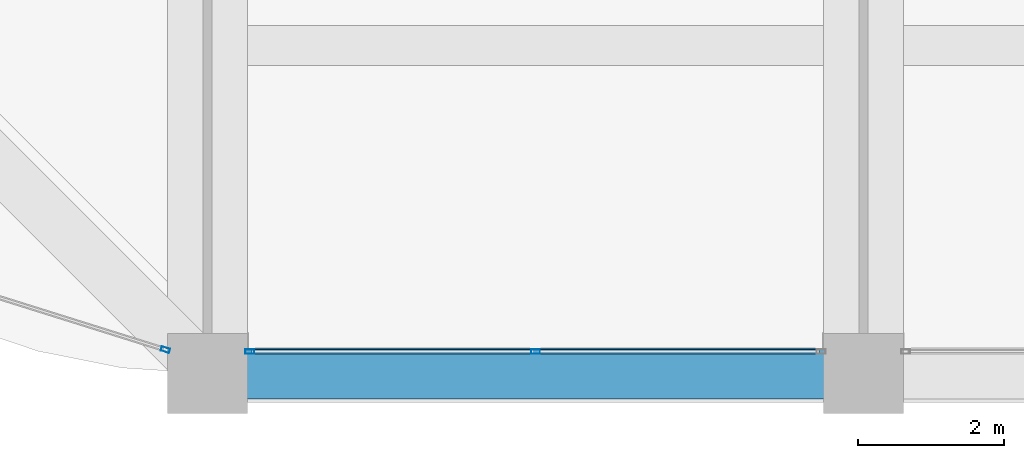
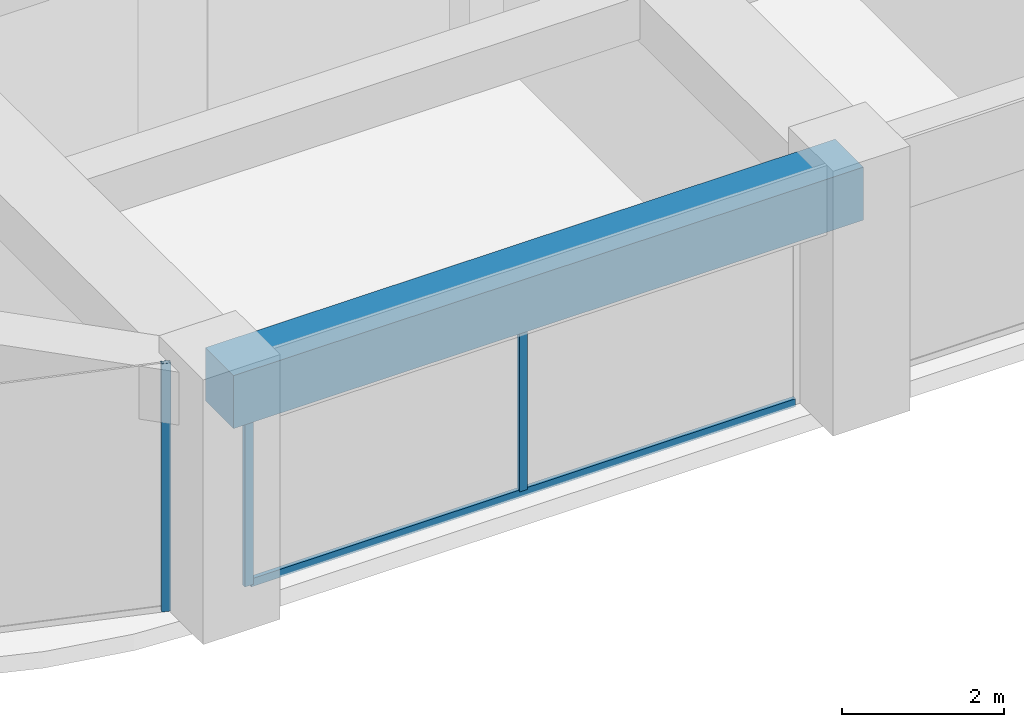
# One storey, part 4 of 44: 4 members, 1 beam, 2 elements without a shape of their own.
"""IFC4 building model written with IfcOpenShell, lengths in metres."""

import ifcopenshell
import ifcopenshell.guid

model = None  # the IFC model being written
_history = None  # IfcOwnerHistory: only IFC2X3 demands one
_inside = {}  # id of a spatial element -> (the spatial element, [elements in it])
_under = {}  # id of a project, library or spatial element -> (it, [spatial elements below it])
_declared = {}  # id of a project -> (the project, [libraries it declares])
_typed = {}  # id of a type object -> (the type object, [elements of that type])
_made_of = {}  # id of a material, layer set ... -> (it, [elements and type objects made of it])


def new_model(schema):
    """Start an empty IFC model of exactly this schema.

    Asked for "IFC4X3", IfcOpenShell would pick the latest addendum, in which some entities
    have other attributes; the version numbers below select the first issue.
    IFC2X3 requires an IfcOwnerHistory on every rooted entity: one is made here for all.
    """
    global model, _history
    if schema == "IFC4X3":
        model = ifcopenshell.file(schema_version=(4, 3, 0, 0))
    else:
        model = ifcopenshell.file(schema=schema)
    _inside.clear()
    _under.clear()
    _declared.clear()
    _typed.clear()
    _made_of.clear()
    _history = None
    if model.schema == "IFC2X3":
        org = make("IfcOrganization", Name="unknown")
        user = make(
            "IfcPersonAndOrganization",
            ThePerson=make("IfcPerson", FamilyName="unknown"),
            TheOrganization=org,
        )
        app = make(
            "IfcApplication",
            ApplicationDeveloper=org,
            Version="unknown",
            ApplicationFullName="unknown",
            ApplicationIdentifier="unknown",
        )
        _history = make(
            "IfcOwnerHistory",
            OwningUser=user,
            OwningApplication=app,
            ChangeAction="ADDED",
            CreationDate=0,
        )
    return model


def make(cls, **values):
    """One entity of the class cls with the attributes given. An attribute that is None is left unset."""
    return model.create_entity(
        cls, **{name: value for name, value in values.items() if value is not None}
    )


def rooted(cls, **values):
    """An entity with a GlobalId (a new one), such as an element, a storey or a relation."""
    return make(cls, GlobalId=ifcopenshell.guid.new(), OwnerHistory=_history, **values)


def si_unit(unit_type, name, prefix=None):
    """IfcSIUnit, for example si_unit("LENGTHUNIT", "METRE", prefix="MILLI")."""
    return make("IfcSIUnit", UnitType=unit_type, Prefix=prefix, Name=name)


def assignment(units):
    """IfcUnitAssignment: the units of a project."""
    return None if units is None else make("IfcUnitAssignment", Units=units)


def point(xyz):
    """IfcCartesianPoint."""
    return None if xyz is None else make("IfcCartesianPoint", Coordinates=xyz)


def direction(xyz):
    """IfcDirection."""
    return None if xyz is None else make("IfcDirection", DirectionRatios=xyz)


def frame(location, z_axis=None, x_axis=None):
    """IfcAxis2Placement3D, a coordinate frame: its origin and axes. An axis left out is left unset."""
    return make(
        "IfcAxis2Placement3D",
        Location=point(location),
        Axis=direction(z_axis),
        RefDirection=direction(x_axis),
    )


def frame_2d(location, x_axis=None):
    """IfcAxis2Placement2D, a coordinate frame in the plane: its origin and x axis."""
    return make(
        "IfcAxis2Placement2D", Location=point(location), RefDirection=direction(x_axis)
    )


def origin():
    """The frame at (0, 0, 0) with its axes left unset."""
    return frame((0.0, 0.0, 0.0))


def origin_2d():
    """The frame at (0, 0) in the plane with its x axis left unset."""
    return frame_2d((0.0, 0.0))


def place(relative_to, where):
    """IfcLocalPlacement: puts the frame where relative to a parent placement (None: the world)."""
    return make(
        "IfcLocalPlacement", PlacementRelTo=relative_to, RelativePlacement=where
    )


def context(
    kind, dimensions, precision=None, world=None, true_north=None, identifier=None
):
    """IfcGeometricRepresentationContext, for example the 3D "Model" context."""
    return make(
        "IfcGeometricRepresentationContext",
        ContextIdentifier=identifier,
        ContextType=kind,
        CoordinateSpaceDimension=dimensions,
        Precision=precision,
        WorldCoordinateSystem=world,
        TrueNorth=true_north,
    )


def subcontext(parent, identifier, kind, view, scale=None):
    """IfcGeometricRepresentationSubContext, for example "Body" below "Model"."""
    return make(
        "IfcGeometricRepresentationSubContext",
        ContextIdentifier=identifier,
        ContextType=kind,
        ParentContext=parent,
        TargetScale=scale,
        TargetView=view,
    )


def project(units=None, contexts=None):
    """IfcProject with its units and contexts."""
    return rooted(
        "IfcProject",
        Name="project",
        RepresentationContexts=contexts,
        UnitsInContext=assignment(units),
    )


def spatial(cls, under=None, at=None, **own):
    """A site, building, storey or space (cls), placed at a placement, below another one or the project."""
    s = rooted(cls, ObjectPlacement=at, **own)
    if under is not None:
        _under.setdefault(under.id(), (under, []))[1].append(s)
    return s


def profile(cls, at=None, kind="AREA", **sizes):
    """A parametric profile (cls). Its sizes go by their IFC names, for example OverallWidth=200.0."""
    return make(cls, ProfileType=kind, Position=at, **sizes)


def rectangle(**sizes):
    """IfcRectangleProfileDef."""
    return profile("IfcRectangleProfileDef", **sizes)


def hollow_rectangle(**sizes):
    """IfcRectangleHollowProfileDef."""
    return profile("IfcRectangleHollowProfileDef", **sizes)


def extrude(swept, where, along, depth):
    """IfcExtrudedAreaSolid: the profile swept, set in the frame where, extruded along a direction by depth."""
    return make(
        "IfcExtrudedAreaSolid",
        SweptArea=swept,
        Position=where,
        ExtrudedDirection=direction(along),
        Depth=depth,
    )


def shape(context_of_items, identifier, shape_type, items):
    """IfcShapeRepresentation: the items that make up one representation, for example the "Body"."""
    return make(
        "IfcShapeRepresentation",
        ContextOfItems=context_of_items,
        RepresentationIdentifier=identifier,
        RepresentationType=shape_type,
        Items=items,
    )


def material(Name=None, Category=None):
    """IfcMaterial."""
    return make("IfcMaterial", Name=Name, Category=Category)


def material_profile(
    of_material, cross_section, Name=None, Category=None, Priority=None
):
    """IfcMaterialProfile: a cross section and its material."""
    return make(
        "IfcMaterialProfile",
        Name=Name,
        Material=of_material,
        Profile=cross_section,
        Priority=Priority,
        Category=Category,
    )


def profile_set(profiles, Name=None, composite=None):
    """IfcMaterialProfileSet."""
    return make(
        "IfcMaterialProfileSet",
        Name=Name,
        MaterialProfiles=profiles,
        CompositeProfile=composite,
    )


def made_of(thing, what):
    """Note that an element or type object is made of a material, layer set ...; save() writes the relation."""
    if what is not None:
        _made_of.setdefault(what.id(), (what, []))[1].append(thing)
    return thing


def type_object(cls, material=None, **own):
    """A type object (cls), such as IfcWallType, which elements share."""
    return made_of(rooted(cls, **own), material)


def element(
    cls,
    number,
    at=None,
    inside=None,
    cuts=None,
    type_object=None,
    material=None,
    context=None,
    identifier="Body",
    shape_type=None,
    held_by="IfcProductDefinitionShape",
    body=None,
    shapes=None,
    **own,
):
    """One element of the class cls, such as IfcWall. Its Tag is "e" and its number.

    at: its placement. inside: the storey or other place that contains it. cuts: it is an
    opening in that element (IfcRelVoidsElement). A single representation is given by context,
    identifier, shape_type and body (its items); several are given by shapes. held_by: the class
    of the entity that holds the representations. save() writes the other relations.
    """
    e = rooted(cls, Tag="e%d" % number, ObjectPlacement=at, **own)
    if body is not None:
        shapes = [shape(context, identifier, shape_type, body)]
    if shapes is not None:
        e.Representation = make(held_by, Representations=shapes)
    if inside is not None:
        _inside.setdefault(inside.id(), (inside, []))[1].append(e)
    if cuts is not None:
        rooted(
            "IfcRelVoidsElement", RelatingBuildingElement=cuts, RelatedOpeningElement=e
        )
    if type_object is not None:
        _typed.setdefault(type_object.id(), (type_object, []))[1].append(e)
    return made_of(e, material)


def aggregate(whole, parts):
    """IfcRelAggregates: a whole, such as a stair, and the parts it consists of."""
    return rooted("IfcRelAggregates", RelatingObject=whole, RelatedObjects=parts)


def save(model, path):
    """Write the relations noted so far, then the file.

    IfcRelAggregates (storeys below a building ...), IfcRelContainedInSpatialStructure (elements
    in a storey), IfcRelDefinesByType, IfcRelAssociatesMaterial and IfcRelDeclares: one each for
    every whole, place, type object, material and project.
    """
    for whole, parts in _under.values():
        aggregate(whole, parts)
    for where, things in _inside.values():
        rooted(
            "IfcRelContainedInSpatialStructure",
            RelatedElements=things,
            RelatingStructure=where,
        )
    for kind, things in _typed.values():
        rooted("IfcRelDefinesByType", RelatedObjects=things, RelatingType=kind)
    for what, things in _made_of.values():
        rooted("IfcRelAssociatesMaterial", RelatedObjects=things, RelatingMaterial=what)
    for by, libraries in _declared.values():
        rooted("IfcRelDeclares", RelatingContext=by, RelatedDefinitions=libraries)
    model.write(path)


model = new_model("IFC4")

# Units and contexts
model_context = context("Model", 3, precision=1e-05, world=origin(), true_north=direction((0.0, 1.0)))
body_context = subcontext(model_context, "Body", "Model", "MODEL_VIEW")
ifc_project = project(units=[si_unit("LENGTHUNIT", "METRE"), si_unit("AREAUNIT", "SQUARE_METRE"), si_unit("VOLUMEUNIT", "CUBIC_METRE"), si_unit("PLANEANGLEUNIT", "RADIAN"), si_unit("MASSUNIT", "GRAM", prefix="KILO")], contexts=[model_context])

# Site, building, storey
site_placement = place(None, origin())
site = spatial("IfcSite", under=ifc_project, at=site_placement, CompositionType="ELEMENT")
building_placement = place(site_placement, origin())
building = spatial("IfcBuilding", under=site, at=building_placement, Name="Zorevar Civic Tower", CompositionType="ELEMENT")
storey_placement = place(building_placement, frame((0.0, 0.0, 267.39990234375)))
storey = spatial("IfcBuildingStorey", under=building, at=storey_placement, Name="L65", CompositionType="ELEMENT", Elevation=267.39990234375)

# Curtain wall, members
ifc_material_1 = material(Name="Dark grey solar-control glass in black aluminium frame", Category="aluminium")
curtain_wall_type = type_object("IfcCurtainWallType", Name="Curtain wall CW5 top zone", PredefinedType="NOTDEFINED", material=ifc_material_1)
curtain_wall_1_placement = place(storey_placement, origin())
curtain_wall_1 = element("IfcCurtainWall", 1, at=curtain_wall_1_placement, inside=storey, type_object=curtain_wall_type, Name="CW5 L65", PredefinedType="NOTDEFINED")
ifc_material_2 = material(Name="Aluminium, black anodised", Category="aluminium")
ifc_material_profile_1 = material_profile(ifc_material_2, hollow_rectangle(XDim=0.06005859375, YDim=0.1201171875, WallThickness=0.0029296875, at=origin_2d()), Name="AL 120x60x3")
ifc_profile_set_1 = profile_set([ifc_material_profile_1], Name="Aluminium, black anodised")
member_type_1 = type_object("IfcMemberType", Name="CW5 mullion AL 120x60x3", PredefinedType="MULLION", material=ifc_profile_set_1)
member_1_placement = place(storey_placement, frame((18.580078125, 0.300048828125, 0.0), z_axis=(0.0, 0.0, 1.0), x_axis=(0.0, 1.0, 0.0)))
member_1 = element("IfcMember", 2, at=member_1_placement, type_object=member_type_1, Name="CW5 mullion 1", PredefinedType="MULLION", context=body_context, shape_type="SweptSolid", body=[
    extrude(hollow_rectangle(XDim=0.06005859375, YDim=0.1201171875, WallThickness=0.0029296875, at=origin_2d()), origin(), (0.0, 0.0, 1.0), 2.9501953125),
])
member_2_placement = place(storey_placement, frame((22.5, 0.300048828125, 0.06005859375), z_axis=(0.0, 0.0, 1.0), x_axis=(0.0, 1.0, 0.0)))
member_2 = element("IfcMember", 3, at=member_2_placement, type_object=member_type_1, Name="CW5 mullion 2", PredefinedType="MULLION", context=body_context, shape_type="SweptSolid", body=[
    extrude(hollow_rectangle(XDim=0.06005859375, YDim=0.1201171875, WallThickness=0.0029296875, at=origin_2d()), origin(), (0.0, 0.0, 1.0), 2.89013671875),
])

# Curtain wall, member
curtain_wall_2_placement = place(storey_placement, origin())
curtain_wall_2 = element("IfcCurtainWall", 4, at=curtain_wall_2_placement, inside=storey, type_object=curtain_wall_type, Name="CW5 L65", PredefinedType="NOTDEFINED")
member_3_placement = place(storey_placement, frame((17.42138671875, 0.326416015625, 0.0), z_axis=(0.0, 0.0, 1.0), x_axis=(0.299317920238, 0.954153437674, 0.0)))
member_3 = element("IfcMember", 5, at=member_3_placement, type_object=member_type_1, Name="CW5 mullion 2", PredefinedType="MULLION", context=body_context, shape_type="SweptSolid", body=[
    extrude(hollow_rectangle(XDim=0.06005859375, YDim=0.1201171875, WallThickness=0.0029296875, at=origin_2d()), origin(), (0.0, 0.0, 1.0), 3.75),
])
aggregate(curtain_wall_2, [member_3])

# Member
ifc_material_3 = material(Name="Aluminium, black anodised", Category="aluminium")
ifc_material_profile_2 = material_profile(ifc_material_3, hollow_rectangle(XDim=0.06005859375, YDim=0.1201171875, WallThickness=0.0029296875, at=origin_2d()), Name="AL 120x60x3")
ifc_profile_set_2 = profile_set([ifc_material_profile_2], Name="Aluminium, black anodised")
member_type_2 = type_object("IfcMemberType", Name="CW5 transom AL 120x60x3", PredefinedType="USERDEFINED", material=ifc_profile_set_2)
member_4_placement = place(storey_placement, frame((18.610107421875, 0.300048828125, 0.030029296875), z_axis=(1.0, 0.0, 0.0), x_axis=(0.0, 1.0, 0.0)))
member_4 = element("IfcMember", 6, at=member_4_placement, type_object=member_type_2, Name="CW5 sill transom", ObjectType="TRANSOM", PredefinedType="USERDEFINED", context=body_context, shape_type="SweptSolid", body=[
    extrude(hollow_rectangle(XDim=0.06005859375, YDim=0.1201171875, WallThickness=0.0029296875, at=origin_2d()), origin(), (0.0, 0.0, 1.0), 7.77978515625),
])

aggregate(curtain_wall_1, [member_1, member_2, member_4])

# Beam
ifc_material_4 = material(Name="Concrete C50/60", Category="concrete")
ifc_material_profile_3 = material_profile(ifc_material_4, rectangle(XDim=0.699951171875, YDim=0.800048828125, at=origin_2d()), Name="RC 700x800")
ifc_profile_set_3 = profile_set([ifc_material_profile_3], Name="Concrete C50/60")
beam_type = type_object("IfcBeamType", Name="Edge beam RC 700x800", PredefinedType="SPANDREL", material=ifc_profile_set_3)
beam_placement = place(storey_placement, frame((18.0, 0.0, 3.35009765625), z_axis=(1.0, 0.0, 0.0), x_axis=(0.0, 1.0, 0.0)))
element("IfcBeam", 7, at=beam_placement, inside=storey, type_object=beam_type, Name="Edge beam L66", PredefinedType="SPANDREL", context=body_context, shape_type="SweptSolid", body=[
    extrude(rectangle(XDim=0.699951171875, YDim=0.800048828125, at=origin_2d()), origin(), (0.0, 0.0, 1.0), 9.0),
])

save(model, "model.ifc")
